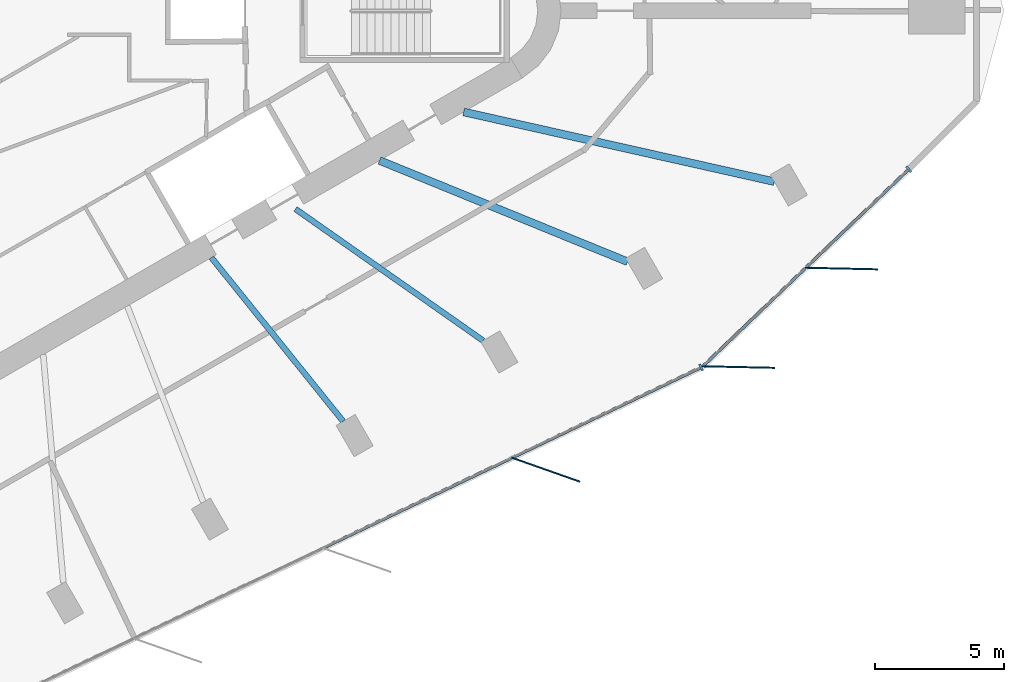
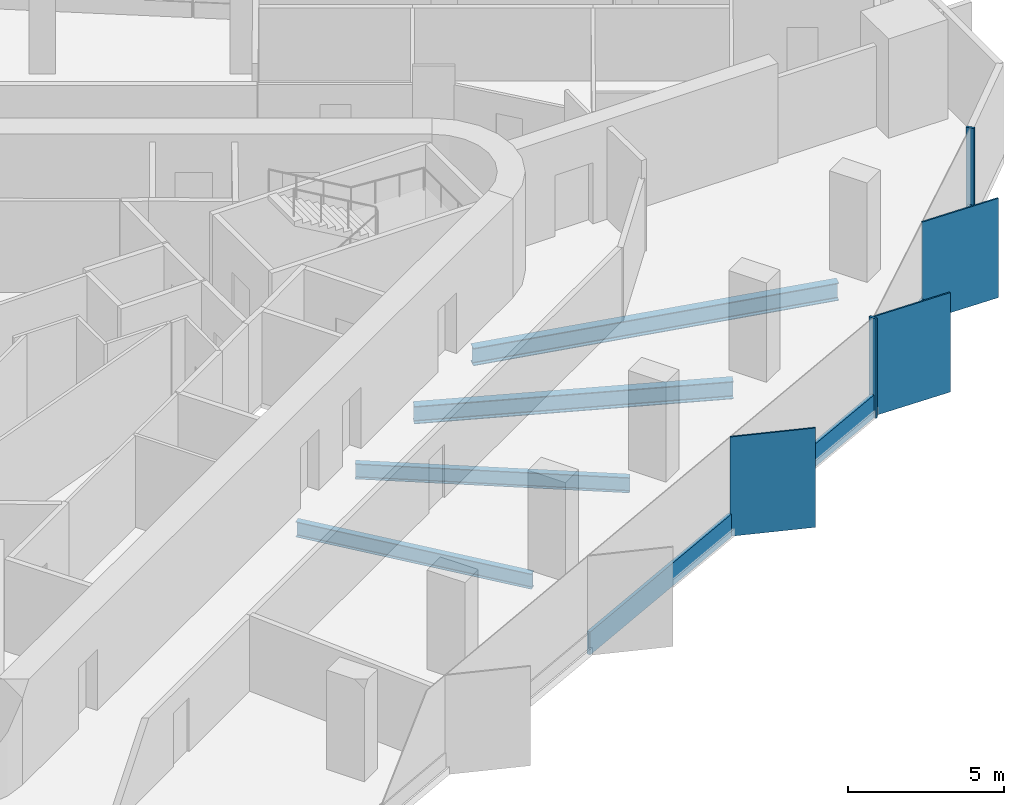
# One storey, part 3 of 14: 9 members, 4 beams, 2 elements without a shape of their own.
"""IFC4 building model written with IfcOpenShell, lengths in metres."""

import ifcopenshell
import ifcopenshell.guid

model = None  # the IFC model being written
_history = None  # IfcOwnerHistory: only IFC2X3 demands one
_inside = {}  # id of a spatial element -> (the spatial element, [elements in it])
_under = {}  # id of a project, library or spatial element -> (it, [spatial elements below it])
_declared = {}  # id of a project -> (the project, [libraries it declares])
_typed = {}  # id of a type object -> (the type object, [elements of that type])
_made_of = {}  # id of a material, layer set ... -> (it, [elements and type objects made of it])


def new_model(schema):
    """Start an empty IFC model of exactly this schema.

    Asked for "IFC4X3", IfcOpenShell would pick the latest addendum, in which some entities
    have other attributes; the version numbers below select the first issue.
    IFC2X3 requires an IfcOwnerHistory on every rooted entity: one is made here for all.
    """
    global model, _history
    if schema == "IFC4X3":
        model = ifcopenshell.file(schema_version=(4, 3, 0, 0))
    else:
        model = ifcopenshell.file(schema=schema)
    _inside.clear()
    _under.clear()
    _declared.clear()
    _typed.clear()
    _made_of.clear()
    _history = None
    if model.schema == "IFC2X3":
        org = make("IfcOrganization", Name="unknown")
        user = make(
            "IfcPersonAndOrganization",
            ThePerson=make("IfcPerson", FamilyName="unknown"),
            TheOrganization=org,
        )
        app = make(
            "IfcApplication",
            ApplicationDeveloper=org,
            Version="unknown",
            ApplicationFullName="unknown",
            ApplicationIdentifier="unknown",
        )
        _history = make(
            "IfcOwnerHistory",
            OwningUser=user,
            OwningApplication=app,
            ChangeAction="ADDED",
            CreationDate=0,
        )
    return model


def make(cls, **values):
    """One entity of the class cls with the attributes given. An attribute that is None is left unset."""
    return model.create_entity(
        cls, **{name: value for name, value in values.items() if value is not None}
    )


def rooted(cls, **values):
    """An entity with a GlobalId (a new one), such as an element, a storey or a relation."""
    return make(cls, GlobalId=ifcopenshell.guid.new(), OwnerHistory=_history, **values)


def si_unit(unit_type, name, prefix=None):
    """IfcSIUnit, for example si_unit("LENGTHUNIT", "METRE", prefix="MILLI")."""
    return make("IfcSIUnit", UnitType=unit_type, Prefix=prefix, Name=name)


def assignment(units):
    """IfcUnitAssignment: the units of a project."""
    return None if units is None else make("IfcUnitAssignment", Units=units)


def point(xyz):
    """IfcCartesianPoint."""
    return None if xyz is None else make("IfcCartesianPoint", Coordinates=xyz)


def direction(xyz):
    """IfcDirection."""
    return None if xyz is None else make("IfcDirection", DirectionRatios=xyz)


def frame(location, z_axis=None, x_axis=None):
    """IfcAxis2Placement3D, a coordinate frame: its origin and axes. An axis left out is left unset."""
    return make(
        "IfcAxis2Placement3D",
        Location=point(location),
        Axis=direction(z_axis),
        RefDirection=direction(x_axis),
    )


def frame_2d(location, x_axis=None):
    """IfcAxis2Placement2D, a coordinate frame in the plane: its origin and x axis."""
    return make(
        "IfcAxis2Placement2D", Location=point(location), RefDirection=direction(x_axis)
    )


def origin():
    """The frame at (0, 0, 0) with its axes left unset."""
    return frame((0.0, 0.0, 0.0))


def origin_2d():
    """The frame at (0, 0) in the plane with its x axis left unset."""
    return frame_2d((0.0, 0.0))


def place(relative_to, where):
    """IfcLocalPlacement: puts the frame where relative to a parent placement (None: the world)."""
    return make(
        "IfcLocalPlacement", PlacementRelTo=relative_to, RelativePlacement=where
    )


def context(
    kind, dimensions, precision=None, world=None, true_north=None, identifier=None
):
    """IfcGeometricRepresentationContext, for example the 3D "Model" context."""
    return make(
        "IfcGeometricRepresentationContext",
        ContextIdentifier=identifier,
        ContextType=kind,
        CoordinateSpaceDimension=dimensions,
        Precision=precision,
        WorldCoordinateSystem=world,
        TrueNorth=true_north,
    )


def subcontext(parent, identifier, kind, view, scale=None):
    """IfcGeometricRepresentationSubContext, for example "Body" below "Model"."""
    return make(
        "IfcGeometricRepresentationSubContext",
        ContextIdentifier=identifier,
        ContextType=kind,
        ParentContext=parent,
        TargetScale=scale,
        TargetView=view,
    )


def project(units=None, contexts=None):
    """IfcProject with its units and contexts."""
    return rooted(
        "IfcProject",
        Name="project",
        RepresentationContexts=contexts,
        UnitsInContext=assignment(units),
    )


def spatial(cls, under=None, at=None, **own):
    """A site, building, storey or space (cls), placed at a placement, below another one or the project."""
    s = rooted(cls, ObjectPlacement=at, **own)
    if under is not None:
        _under.setdefault(under.id(), (under, []))[1].append(s)
    return s


def profile(cls, at=None, kind="AREA", **sizes):
    """A parametric profile (cls). Its sizes go by their IFC names, for example OverallWidth=200.0."""
    return make(cls, ProfileType=kind, Position=at, **sizes)


def rectangle(**sizes):
    """IfcRectangleProfileDef."""
    return profile("IfcRectangleProfileDef", **sizes)


def i_section(**sizes):
    """IfcIShapeProfileDef."""
    return profile("IfcIShapeProfileDef", **sizes)


def extrude(swept, where, along, depth):
    """IfcExtrudedAreaSolid: the profile swept, set in the frame where, extruded along a direction by depth."""
    return make(
        "IfcExtrudedAreaSolid",
        SweptArea=swept,
        Position=where,
        ExtrudedDirection=direction(along),
        Depth=depth,
    )


def shape(context_of_items, identifier, shape_type, items):
    """IfcShapeRepresentation: the items that make up one representation, for example the "Body"."""
    return make(
        "IfcShapeRepresentation",
        ContextOfItems=context_of_items,
        RepresentationIdentifier=identifier,
        RepresentationType=shape_type,
        Items=items,
    )


def material(Name=None, Category=None):
    """IfcMaterial."""
    return make("IfcMaterial", Name=Name, Category=Category)


def material_profile(
    of_material, cross_section, Name=None, Category=None, Priority=None
):
    """IfcMaterialProfile: a cross section and its material."""
    return make(
        "IfcMaterialProfile",
        Name=Name,
        Material=of_material,
        Profile=cross_section,
        Priority=Priority,
        Category=Category,
    )


def profile_set(profiles, Name=None, composite=None):
    """IfcMaterialProfileSet."""
    return make(
        "IfcMaterialProfileSet",
        Name=Name,
        MaterialProfiles=profiles,
        CompositeProfile=composite,
    )


def made_of(thing, what):
    """Note that an element or type object is made of a material, layer set ...; save() writes the relation."""
    if what is not None:
        _made_of.setdefault(what.id(), (what, []))[1].append(thing)
    return thing


def type_object(cls, material=None, **own):
    """A type object (cls), such as IfcWallType, which elements share."""
    return made_of(rooted(cls, **own), material)


def element(
    cls,
    number,
    at=None,
    inside=None,
    cuts=None,
    type_object=None,
    material=None,
    context=None,
    identifier="Body",
    shape_type=None,
    held_by="IfcProductDefinitionShape",
    body=None,
    shapes=None,
    **own,
):
    """One element of the class cls, such as IfcWall. Its Tag is "e" and its number.

    at: its placement. inside: the storey or other place that contains it. cuts: it is an
    opening in that element (IfcRelVoidsElement). A single representation is given by context,
    identifier, shape_type and body (its items); several are given by shapes. held_by: the class
    of the entity that holds the representations. save() writes the other relations.
    """
    e = rooted(cls, Tag="e%d" % number, ObjectPlacement=at, **own)
    if body is not None:
        shapes = [shape(context, identifier, shape_type, body)]
    if shapes is not None:
        e.Representation = make(held_by, Representations=shapes)
    if inside is not None:
        _inside.setdefault(inside.id(), (inside, []))[1].append(e)
    if cuts is not None:
        rooted(
            "IfcRelVoidsElement", RelatingBuildingElement=cuts, RelatedOpeningElement=e
        )
    if type_object is not None:
        _typed.setdefault(type_object.id(), (type_object, []))[1].append(e)
    return made_of(e, material)


def aggregate(whole, parts):
    """IfcRelAggregates: a whole, such as a stair, and the parts it consists of."""
    return rooted("IfcRelAggregates", RelatingObject=whole, RelatedObjects=parts)


def save(model, path):
    """Write the relations noted so far, then the file.

    IfcRelAggregates (storeys below a building ...), IfcRelContainedInSpatialStructure (elements
    in a storey), IfcRelDefinesByType, IfcRelAssociatesMaterial and IfcRelDeclares: one each for
    every whole, place, type object, material and project.
    """
    for whole, parts in _under.values():
        aggregate(whole, parts)
    for where, things in _inside.values():
        rooted(
            "IfcRelContainedInSpatialStructure",
            RelatedElements=things,
            RelatingStructure=where,
        )
    for kind, things in _typed.values():
        rooted("IfcRelDefinesByType", RelatedObjects=things, RelatingType=kind)
    for what, things in _made_of.values():
        rooted("IfcRelAssociatesMaterial", RelatedObjects=things, RelatingMaterial=what)
    for by, libraries in _declared.values():
        rooted("IfcRelDeclares", RelatingContext=by, RelatedDefinitions=libraries)
    model.write(path)


model = new_model("IFC4")

# Units and contexts
model_context = context("Model", 3, precision=1e-05, world=origin(), true_north=direction((0.0, 1.0)))
body_context = subcontext(model_context, "Body", "Model", "MODEL_VIEW")
ifc_project = project(units=[si_unit("LENGTHUNIT", "METRE"), si_unit("AREAUNIT", "SQUARE_METRE"), si_unit("VOLUMEUNIT", "CUBIC_METRE"), si_unit("PLANEANGLEUNIT", "RADIAN"), si_unit("MASSUNIT", "GRAM", prefix="KILO")], contexts=[model_context])

# Site, building, storey
site_placement = place(None, origin())
site = spatial("IfcSite", under=ifc_project, at=site_placement, CompositionType="ELEMENT")
building_placement = place(site_placement, origin())
building = spatial("IfcBuilding", under=site, at=building_placement, Name="Tanit Gate Tower", CompositionType="ELEMENT")
storey_placement = place(building_placement, frame((0.0, 0.0, 306.5)))
storey = spatial("IfcBuildingStorey", under=building, at=storey_placement, Name="L68", CompositionType="ELEMENT", Elevation=306.5)

# Curtain wall, member
ifc_material_1 = material(Name="Aluminium bronze anodised and glass", Category="aluminium")
curtain_wall_type = type_object("IfcCurtainWallType", Name="Curtain wall typical high", PredefinedType="NOTDEFINED", material=ifc_material_1)
curtain_wall_1_placement = place(storey_placement, origin())
curtain_wall_1 = element("IfcCurtainWall", 1, at=curtain_wall_1_placement, inside=storey, type_object=curtain_wall_type, Name="Curtain wall L68 SE2", PredefinedType="NOTDEFINED")
ifc_material_2 = material(Name="Aluminium bronze anodised", Category="aluminium")
ifc_material_profile_1 = material_profile(ifc_material_2, rectangle(XDim=2.800048828125, YDim=0.055908203125, at=origin_2d()), Name="56x2800 bronze fin mullion")
ifc_profile_set_1 = profile_set([ifc_material_profile_1], Name="Aluminium bronze anodised")
member_type_1 = type_object("IfcMemberType", Name="FIN MULLION 56x2800 bronze", PredefinedType="MULLION", material=ifc_profile_set_1)
member_1_placement = place(storey_placement, frame((20.607177734375, -17.743408203125, -0.300048828125), z_axis=(0.0, 0.0, 1.0), x_axis=(-0.942849080727, 0.333220063881, 0.0)))
member_1 = element("IfcMember", 2, at=member_1_placement, type_object=member_type_1, Name="Fin mullion L68 SE2.4", PredefinedType="MULLION", context=body_context, shape_type="SweptSolid", body=[
    extrude(rectangle(XDim=2.800048828125, YDim=0.055908203125, at=origin_2d()), origin(), (0.0, 0.0, 1.0), 3.900146484375),
])

# Curtain wall, members
curtain_wall_2_placement = place(storey_placement, origin())
curtain_wall_2 = element("IfcCurtainWall", 3, at=curtain_wall_2_placement, inside=storey, type_object=curtain_wall_type, Name="Curtain wall L68 SE3", PredefinedType="NOTDEFINED")
member_2_placement = place(storey_placement, frame((28.0634765625, -13.775390625, -0.300048828125), z_axis=(0.0, 0.0, 1.0), x_axis=(-0.999755269503, 0.022122411726, 0.0)))
member_2 = element("IfcMember", 4, at=member_2_placement, type_object=member_type_1, Name="Fin mullion L68 SE3.1", PredefinedType="MULLION", context=body_context, shape_type="SweptSolid", body=[
    extrude(rectangle(XDim=2.800048828125, YDim=0.055908203125, at=origin_2d()), origin(), (0.0, 0.0, 1.0), 3.900146484375),
])
member_3_placement = place(storey_placement, frame((32.04541015625, -9.9658203125, -0.300048828125), z_axis=(0.0, 0.0, 1.0), x_axis=(-0.999755269503, 0.022122411726, 0.0)))
member_3 = element("IfcMember", 5, at=member_3_placement, type_object=member_type_1, Name="Fin mullion L68 SE3.2", PredefinedType="MULLION", context=body_context, shape_type="SweptSolid", body=[
    extrude(rectangle(XDim=2.800048828125, YDim=0.055908203125, at=origin_2d()), origin(), (0.0, 0.0, 1.0), 3.900146484375),
])

# Member
ifc_material_3 = material(Name="Aluminium bronze anodised", Category="aluminium")
ifc_material_profile_2 = material_profile(ifc_material_3, rectangle(XDim=0.280029296875, YDim=0.080078125, at=origin_2d()), Name="80x280 bronze mullion")
ifc_profile_set_2 = profile_set([ifc_material_profile_2], Name="Aluminium bronze anodised")
member_type_2 = type_object("IfcMemberType", Name="Mullion 80x280 typical high", PredefinedType="MULLION", material=ifc_profile_set_2)
member_4_placement = place(storey_placement, frame((26.618408203125, -13.789794921875, -0.300048828125), z_axis=(0.0, 0.0, 1.0), x_axis=(-0.431072811819, 0.902317145415, 0.0)))
member_4 = element("IfcMember", 6, at=member_4_placement, type_object=member_type_2, Name="Mullion L68 SE2.5", PredefinedType="MULLION", context=body_context, shape_type="SweptSolid", body=[
    extrude(rectangle(XDim=0.280029296875, YDim=0.080078125, at=origin_2d()), origin(), (0.0, 0.0, 1.0), 3.900146484375),
])

member_5_placement = place(storey_placement, frame((34.647705078125, -6.12548828125, -0.300048828125), z_axis=(0.0, 0.0, 1.0), x_axis=(-0.691290823245, 0.72257663794, 0.0)))
member_5 = element("IfcMember", 7, at=member_5_placement, type_object=member_type_2, Name="Mullion L68 SE3.3", PredefinedType="MULLION", context=body_context, shape_type="SweptSolid", body=[
    extrude(rectangle(XDim=0.280029296875, YDim=0.080078125, at=origin_2d()), origin(), (0.0, 0.0, 1.0), 3.900146484375),
])

# Beams
ifc_material_4 = material(Name="Steel S355", Category="steel")
ifc_material_profile_3 = material_profile(ifc_material_4, i_section(OverallWidth=0.300048828125, OverallDepth=0.68994140625, WebThickness=0.014404296875, FlangeThickness=0.027099609375, FilletRadius=0.027099609375, at=origin_2d()), Name="HEA 700")
ifc_profile_set_3 = profile_set([ifc_material_profile_3], Name="Steel S355")
beam_type_1 = type_object("IfcBeamType", Name="RADIAL GIRDER HEA 700 S355", PredefinedType="BEAM", material=ifc_profile_set_3)
beam_1_placement = place(storey_placement, frame((23.7705078125, -9.7021484375, -0.64501953125), z_axis=(-0.925849999648, 0.377891225292, 0.0), x_axis=(-0.377891225292, -0.925849999648, 0.0)))
element("IfcBeam", 8, at=beam_1_placement, inside=storey, type_object=beam_type_1, Name="RADIAL GIRDER", PredefinedType="BEAM", context=body_context, shape_type="SweptSolid", body=[
    extrude(i_section(OverallWidth=0.300048828125, OverallDepth=0.68994140625, WebThickness=0.014404296875, FlangeThickness=0.027099609375, FilletRadius=0.027099609375, at=origin_2d()), origin(), (0.0, 0.0, 1.0), 10.35888671875),
])
beam_2_placement = place(storey_placement, frame((29.446533203125, -6.605712890625, -0.64501953125), z_axis=(-0.975751261889, 0.218882331225, 0.0), x_axis=(-0.218882331225, -0.975751261889, 0.0)))
element("IfcBeam", 9, at=beam_2_placement, inside=storey, type_object=beam_type_1, Name="RADIAL GIRDER", PredefinedType="BEAM", context=body_context, shape_type="SweptSolid", body=[
    extrude(i_section(OverallWidth=0.300048828125, OverallDepth=0.68994140625, WebThickness=0.014404296875, FlangeThickness=0.027099609375, FilletRadius=0.027099609375, at=origin_2d()), origin(), (0.0, 0.0, 1.0), 12.31396484375),
])
ifc_material_5 = material(Name="Steel S355", Category="steel")
ifc_material_profile_4 = material_profile(ifc_material_5, i_section(OverallWidth=0.219970703125, OverallDepth=0.60009765625, WebThickness=0.011962890625, FlangeThickness=0.01904296875, FilletRadius=0.02392578125, at=origin_2d()), Name="IPE 600")
ifc_profile_set_4 = profile_set([ifc_material_profile_4], Name="Steel S355")
beam_type_2 = type_object("IfcBeamType", Name="RADIAL GIRDER IPE 600 S355", PredefinedType="BEAM", material=ifc_profile_set_4)
beam_3_placement = place(storey_placement, frame((12.772705078125, -15.876220703125, -0.60009765625), z_axis=(-0.626835145211, 0.779151911201, 0.0), x_axis=(-0.779151911201, -0.626835145211, 0.0)))
element("IfcBeam", 10, at=beam_3_placement, inside=storey, type_object=beam_type_2, Name="RADIAL GIRDER", PredefinedType="BEAM", context=body_context, shape_type="SweptSolid", body=[
    extrude(i_section(OverallWidth=0.219970703125, OverallDepth=0.60009765625, WebThickness=0.011962890625, FlangeThickness=0.01904296875, FilletRadius=0.02392578125, at=origin_2d()), origin(), (0.0, 0.0, 1.0), 8.129638671875),
])
beam_4_placement = place(storey_placement, frame((18.1826171875, -12.752685546875, -0.60009765625), z_axis=(-0.818711219001, 0.574205485764, 0.0), x_axis=(-0.574205485764, -0.818711219001, 0.0)))
element("IfcBeam", 11, at=beam_4_placement, inside=storey, type_object=beam_type_2, Name="RADIAL GIRDER", PredefinedType="BEAM", context=body_context, shape_type="SweptSolid", body=[
    extrude(i_section(OverallWidth=0.219970703125, OverallDepth=0.60009765625, WebThickness=0.011962890625, FlangeThickness=0.01904296875, FilletRadius=0.02392578125, at=origin_2d()), origin(), (0.0, 0.0, 1.0), 8.86083984375),
])

# Member
ifc_material_6 = material(Name="Aluminium bronze anodised", Category="aluminium")
ifc_material_profile_5 = material_profile(ifc_material_6, rectangle(XDim=0.1201171875, YDim=0.89990234375, at=origin_2d()), Name="120x900 bronze transom")
ifc_profile_set_5 = profile_set([ifc_material_profile_5], Name="Aluminium bronze anodised")
member_type_3 = type_object("IfcMemberType", Name="Transom 120x900 typical high", PredefinedType="USERDEFINED", material=ifc_profile_set_5)
member_6_placement = place(storey_placement, frame((12.029052734375, -20.759765625, 0.14990234375), z_axis=(0.902321041517, 0.431064656446, 0.0), x_axis=(-0.431064656446, 0.902321041517, 0.0)))
member_6 = element("IfcMember", 12, at=member_6_placement, type_object=member_type_3, Name="Transom L68 SE2.3", ObjectType="TRANSOM", PredefinedType="USERDEFINED", context=body_context, shape_type="SweptSolid", body=[
    extrude(rectangle(XDim=0.1201171875, YDim=0.89990234375, at=origin_2d()), origin(), (0.0, 0.0, 1.0), 8.024169921875),
])

member_7_placement = place(storey_placement, frame((19.341796875, -17.26611328125, 0.14990234375), z_axis=(0.902321041517, 0.431064656446, 0.0), x_axis=(-0.431064656446, 0.902321041517, 0.0)))
member_7 = element("IfcMember", 13, at=member_7_placement, type_object=member_type_3, Name="Transom L68 SE2.4", ObjectType="TRANSOM", PredefinedType="USERDEFINED", context=body_context, shape_type="SweptSolid", body=[
    extrude(rectangle(XDim=0.1201171875, YDim=0.89990234375, at=origin_2d()), origin(), (0.0, 0.0, 1.0), 8.024169921875),
])

aggregate(curtain_wall_1, [member_1, member_4, member_6, member_7])

member_8_placement = place(storey_placement, frame((26.71240234375, -13.71728515625, 0.14990234375), z_axis=(0.722577419637, 0.69129000617, 0.0), x_axis=(-0.69129000617, 0.722577419637, 0.0)))
member_8 = element("IfcMember", 14, at=member_8_placement, type_object=member_type_3, Name="Transom L68 SE3.1", ObjectType="TRANSOM", PredefinedType="USERDEFINED", context=body_context, shape_type="SweptSolid", body=[
    extrude(rectangle(XDim=0.1201171875, YDim=0.89990234375, at=origin_2d()), origin(), (0.0, 0.0, 1.0), 5.430908203125),
])

member_9_placement = place(storey_placement, frame((30.694580078125, -9.907470703125, 0.14990234375), z_axis=(0.722577419637, 0.69129000617, 0.0), x_axis=(-0.69129000617, 0.722577419637, 0.0)))
member_9 = element("IfcMember", 15, at=member_9_placement, type_object=member_type_3, Name="Transom L68 SE3.2", ObjectType="TRANSOM", PredefinedType="USERDEFINED", context=body_context, shape_type="SweptSolid", body=[
    extrude(rectangle(XDim=0.1201171875, YDim=0.89990234375, at=origin_2d()), origin(), (0.0, 0.0, 1.0), 5.430908203125),
])

aggregate(curtain_wall_2, [member_2, member_3, member_5, member_8, member_9])

save(model, "model.ifc")
